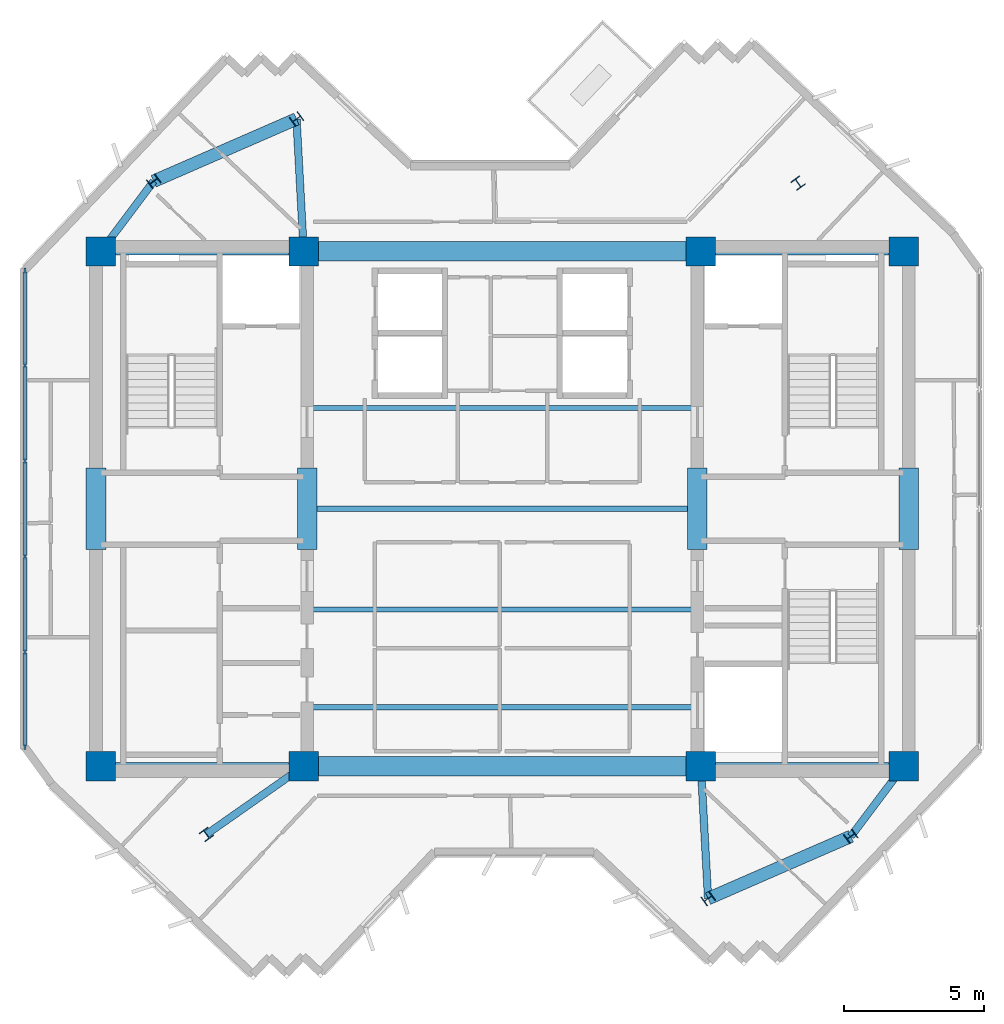
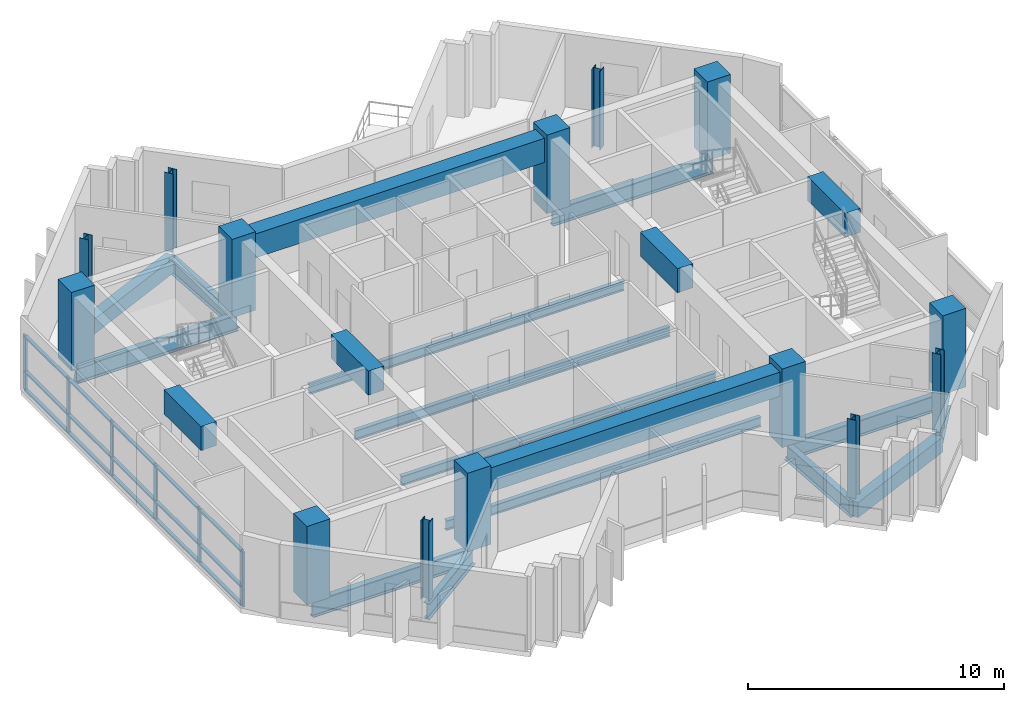
# One storey, part 1 of 9: 21 beams, 21 members, 14 columns, 1 element without a shape of its own.
"""IFC4 building model written with IfcOpenShell, lengths in metres."""

from ifc_helpers import new_model, si_unit, direction, frame, origin, origin_2d, place, context, subcontext, project, spatial, rectangle, i_section, extrude, source, transform, mapped, material, layer, layer_set, material_profile, profile_set, type_object, element, aggregate, save


model = new_model("IFC4")

# Units and contexts
model_context = context("Model", 3, precision=1e-05, world=origin(), true_north=direction((0.0, 1.0)))
body_context = subcontext(model_context, "Body", "Model", "MODEL_VIEW")
ifc_project = project(units=[si_unit("LENGTHUNIT", "METRE"), si_unit("AREAUNIT", "SQUARE_METRE"), si_unit("VOLUMEUNIT", "CUBIC_METRE"), si_unit("PLANEANGLEUNIT", "RADIAN"), si_unit("MASSUNIT", "GRAM", prefix="KILO")], contexts=[model_context])

# Site, building, storey
site_placement = place(None, origin())
site = spatial("IfcSite", under=ifc_project, at=site_placement, CompositionType="ELEMENT")
building_placement = place(site_placement, origin())
building = spatial("IfcBuilding", under=site, at=building_placement, Name="Zahravan Cultural Tower", CompositionType="ELEMENT")
storey_placement = place(building_placement, frame((0.0, 0.0, 306.60009765625)))
storey = spatial("IfcBuildingStorey", under=building, at=storey_placement, Name="L74", CompositionType="ELEMENT", Elevation=306.60009765625)

# Columns
ifc_material_1 = material(Name="Concrete C50/60", Category="concrete")
ifc_material_profile_1 = material_profile(ifc_material_1, rectangle(XDim=1.050048828125, YDim=1.050048828125, at=origin_2d()), Name="RC1050X1050")
ifc_profile_set_1 = profile_set([ifc_material_profile_1], Name="Concrete C50/60")
column_type_1 = type_object("IfcColumnType", Name="COL-RC1050", PredefinedType="COLUMN", material=ifc_profile_set_1)
shared_shape_1 = source(origin(), body_context, "Body", "SweptSolid", [
    extrude(rectangle(XDim=1.050048828125, YDim=1.050048828125, at=origin_2d()), origin(), (0.0, 0.0, 1.0), 3.75),
])
for number, where, z_axis, x_axis, name in (
    (1, (21.64990234375, 17.800048828125, 0.0), (0.0, 0.0, 1.0), (1.0, 0.0, 0.0), "L74 Column CC-W1"),
    (2, (28.89990234375, 17.800048828125, 0.0), (0.0, 0.0, 1.0), (1.0, 0.0, 0.0), "L74 Column CC-W2"),
    (3, (21.64990234375, 36.199951171875, 0.0), (0.0, 0.0, 1.0), (1.0, 0.0, 0.0), "L74 Column CC-W3"),
    (4, (28.89990234375, 36.199951171875, 0.0), (0.0, 0.0, 1.0), (1.0, 0.0, 0.0), "L74 Column CC-W4"),
    (5, (43.10009765625, 17.800048828125, 0.0), (0.0, 0.0, 1.0), (1.0, 0.0, 0.0), "L74 Column CC-E1"),
    (6, (50.35009765625, 17.800048828125, 0.0), (0.0, 0.0, 1.0), (1.0, 0.0, 0.0), "L74 Column CC-E2"),
    (7, (43.10009765625, 36.199951171875, 0.0), (0.0, 0.0, 1.0), (1.0, 0.0, 0.0), "L74 Column CC-E3"),
    (8, (50.35009765625, 36.199951171875, 0.0), (0.0, 0.0, 1.0), (1.0, 0.0, 0.0), "L74 Column CC-E4"),
):
    element("IfcColumn", number, at=place(storey_placement, frame(where, z_axis=z_axis, x_axis=x_axis)), inside=storey, type_object=column_type_1, Name=name, PredefinedType="COLUMN", context=body_context, shape_type="MappedRepresentation", body=[
        mapped(shared_shape_1, transform((0.0, 0.0, 0.0), x_axis=(1.0, 0.0, 0.0), y_axis=(0.0, 1.0, 0.0), z_axis=(0.0, 0.0, 1.0), scale=1.0)),
    ])
ifc_material_2 = material(Name="Steel ASTM A992 Grade 50", Category="steel")
ifc_material_profile_2 = material_profile(ifc_material_2, i_section(OverallWidth=0.3740234375, OverallDepth=0.3720703125, WebThickness=0.016357421875, FlangeThickness=0.026123046875, FilletRadius=0.01806640625, at=origin_2d()), Name="W14X132")
ifc_profile_set_2 = profile_set([ifc_material_profile_2], Name="Steel ASTM A992 Grade 50")
column_type_2 = type_object("IfcColumnType", Name="COL-W14X132", PredefinedType="COLUMN", material=ifc_profile_set_2)
shared_shape_2 = source(origin(), body_context, "Body", "SweptSolid", [
    extrude(i_section(OverallWidth=0.3740234375, OverallDepth=0.3720703125, WebThickness=0.016357421875, FlangeThickness=0.026123046875, FilletRadius=0.01806640625, at=origin_2d()), origin(), (0.0, 0.0, 1.0), 3.75),
])
for number, where, z_axis, x_axis, name in (
    (9, (46.577880859375, 38.640625, 0.0), (0.0, 0.0, 1.0), (0.809016994375, 0.587785252292, 0.0), "L74 Column Z3C-E2"),
    (10, (28.642578125, 40.937255859375, 0.0), (0.0, 0.0, 1.0), (-0.587785252292, 0.809016994375, 0.0), "L74 Column Z3C-N1"),
    (11, (23.536376953125, 38.710693359375, 0.0), (0.0, 0.0, 1.0), (-0.587785252292, 0.809016994375, 0.0), "L74 Column Z3C-N2"),
    (12, (25.422119140625, 15.359375, 0.0), (0.0, 0.0, 1.0), (0.809016994375, 0.587785252292, 0.0), "L74 Column Z3C-W2"),
    (13, (43.357421875, 13.062744140625, 0.0), (0.0, 0.0, 1.0), (-0.587785252292, 0.809016994375, 0.0), "L74 Column Z3C-S1"),
    (14, (48.463623046875, 15.289306640625, 0.0), (0.0, 0.0, 1.0), (-0.587785252292, 0.809016994375, 0.0), "L74 Column Z3C-S2"),
):
    element("IfcColumn", number, at=place(storey_placement, frame(where, z_axis=z_axis, x_axis=x_axis)), inside=storey, type_object=column_type_2, Name=name, PredefinedType="COLUMN", context=body_context, shape_type="MappedRepresentation", body=[
        mapped(shared_shape_2, transform((0.0, 0.0, 0.0), x_axis=(1.0, 0.0, 0.0), y_axis=(0.0, 1.0, 0.0), z_axis=(0.0, 0.0, 1.0), scale=1.0)),
    ])

# Beams
ifc_material_profile_3 = material_profile(ifc_material_1, rectangle(XDim=0.699951171875, YDim=1.14990234375, at=origin_2d()), Name="RC700X1150")
ifc_profile_set_3 = profile_set([ifc_material_profile_3], Name="Concrete C50/60")
beam_type_1 = type_object("IfcBeamType", Name="BM-LN-RC700X1150", PredefinedType="LINTEL", material=ifc_profile_set_3)
shared_shape_3 = source(origin(), body_context, "Body", "SweptSolid", [
    extrude(rectangle(XDim=0.699951171875, YDim=1.14990234375, at=origin_2d()), origin(), (0.0, 0.0, 1.0), 14.2001953125),
])
for number, where, z_axis, x_axis, name in (
    (15, (28.89990234375, 17.800048828125, 2.9248046875), (1.0, 0.0, 0.0), (0.0, 1.0, 0.0), "L74 Beam LN-L74-S"),
    (16, (28.89990234375, 36.199951171875, 2.9248046875), (1.0, 0.0, 0.0), (0.0, 1.0, 0.0), "L74 Beam LN-L74-N"),
):
    element("IfcBeam", number, at=place(storey_placement, frame(where, z_axis=z_axis, x_axis=x_axis)), inside=storey, type_object=beam_type_1, Name=name, PredefinedType="LINTEL", context=body_context, shape_type="MappedRepresentation", body=[
        mapped(shared_shape_3, transform((0.0, 0.0, 0.0), x_axis=(1.0, 0.0, 0.0), y_axis=(0.0, 1.0, 0.0), z_axis=(0.0, 0.0, 1.0), scale=1.0)),
    ])
shared_shape_4 = source(origin(), body_context, "Body", "SweptSolid", [
    extrude(rectangle(XDim=0.699951171875, YDim=1.14990234375, at=origin_2d()), origin(), (0.0, 0.0, 1.0), 2.89990234375),
])
for number, where, z_axis, x_axis, name in (
    (17, (21.47509765625, 25.550048828125, 2.9248046875), (0.0, 1.0, 0.0), (-1.0, 0.0, 0.0), "L74 Beam LN-L74-PWW"),
    (18, (29.02490234375, 25.550048828125, 2.9248046875), (0.0, 1.0, 0.0), (-1.0, 0.0, 0.0), "L74 Beam LN-L74-PWE"),
    (19, (42.97509765625, 25.550048828125, 2.9248046875), (0.0, 1.0, 0.0), (-1.0, 0.0, 0.0), "L74 Beam LN-L74-PEW"),
    (20, (50.52490234375, 25.550048828125, 2.9248046875), (0.0, 1.0, 0.0), (-1.0, 0.0, 0.0), "L74 Beam LN-L74-PEE"),
):
    element("IfcBeam", number, at=place(storey_placement, frame(where, z_axis=z_axis, x_axis=x_axis)), inside=storey, type_object=beam_type_1, Name=name, PredefinedType="LINTEL", context=body_context, shape_type="MappedRepresentation", body=[
        mapped(shared_shape_4, transform((0.0, 0.0, 0.0), x_axis=(1.0, 0.0, 0.0), y_axis=(0.0, 1.0, 0.0), z_axis=(0.0, 0.0, 1.0), scale=1.0)),
    ])
ifc_material_profile_4 = material_profile(ifc_material_2, i_section(OverallWidth=0.26611328125, OverallDepth=0.780029296875, WebThickness=0.0166015625, FlangeThickness=0.030029296875, FilletRadius=0.01904296875, at=origin_2d()), Name="W30X148")
ifc_profile_set_4 = profile_set([ifc_material_profile_4], Name="Steel ASTM A992 Grade 50")
beam_type_2 = type_object("IfcBeamType", Name="BM-G-W30X148", PredefinedType="BEAM", material=ifc_profile_set_4)
shared_shape_5 = source(origin(), body_context, "Body", "SweptSolid", [
    extrude(i_section(OverallWidth=0.26611328125, OverallDepth=0.780029296875, WebThickness=0.0166015625, FlangeThickness=0.030029296875, FilletRadius=0.01904296875, at=origin_2d()), origin(), (0.0, 0.0, 1.0), 7.25),
])
for number, where, z_axis, x_axis, name in (
    (21, (21.64990234375, 17.800048828125, -0.64013671875), (1.0, 0.0, 0.0), (0.0, 1.0, 0.0), "L74 Beam BG-L74-01"),
    (22, (21.64990234375, 36.199951171875, -0.64013671875), (1.0, 0.0, 0.0), (0.0, 1.0, 0.0), "L74 Beam BG-L74-02"),
    (23, (43.10009765625, 17.800048828125, -0.64013671875), (1.0, 0.0, 0.0), (0.0, 1.0, 0.0), "L74 Beam BG-L74-04"),
    (24, (43.10009765625, 36.199951171875, -0.64013671875), (1.0, 0.0, 0.0), (0.0, 1.0, 0.0), "L74 Beam BG-L74-05"),
):
    element("IfcBeam", number, at=place(storey_placement, frame(where, z_axis=z_axis, x_axis=x_axis)), inside=storey, type_object=beam_type_2, Name=name, PredefinedType="BEAM", context=body_context, shape_type="MappedRepresentation", body=[
        mapped(shared_shape_5, transform((0.0, 0.0, 0.0), x_axis=(1.0, 0.0, 0.0), y_axis=(0.0, 1.0, 0.0), z_axis=(0.0, 0.0, 1.0), scale=1.0)),
    ])
ifc_material_profile_5 = material_profile(ifc_material_2, i_section(OverallWidth=0.26708984375, OverallDepth=0.761962890625, WebThickness=0.014404296875, FlangeThickness=0.021484375, FilletRadius=0.01904296875, at=origin_2d()), Name="W30X116")
ifc_profile_set_5 = profile_set([ifc_material_profile_5], Name="Steel ASTM A992 Grade 50")
beam_type_3 = type_object("IfcBeamType", Name="BM-G-W30X116", PredefinedType="BEAM", material=ifc_profile_set_5)
shared_shape_6 = source(origin(), body_context, "Body", "SweptSolid", [
    extrude(i_section(OverallWidth=0.26708984375, OverallDepth=0.761962890625, WebThickness=0.014404296875, FlangeThickness=0.021484375, FilletRadius=0.01904296875, at=origin_2d()), origin(), (0.0, 0.0, 1.0), 4.248779296875),
])
beam_placement = place(storey_placement, frame((28.89990234375, 17.800048828125, -0.631103515625), z_axis=(-0.81854294596, -0.574445337365, 0.0), x_axis=(0.574445337365, -0.81854294596, 0.0)))
element("IfcBeam", 25, at=beam_placement, inside=storey, type_object=beam_type_3, Name="L74 Beam BG-L74-07", PredefinedType="BEAM", context=body_context, shape_type="MappedRepresentation", body=[
    mapped(shared_shape_6, transform((0.0, 0.0, 0.0), x_axis=(1.0, 0.0, 0.0), y_axis=(0.0, 1.0, 0.0), z_axis=(0.0, 0.0, 1.0), scale=1.0)),
])
shared_shape_7 = source(origin(), body_context, "Body", "SweptSolid", [
    extrude(i_section(OverallWidth=0.26708984375, OverallDepth=0.761962890625, WebThickness=0.014404296875, FlangeThickness=0.021484375, FilletRadius=0.01904296875, at=origin_2d()), origin(), (0.0, 0.0, 1.0), 4.744384765625),
])
for number, where, z_axis, x_axis, name in (
    (26, (43.10009765625, 17.800048828125, -0.631103515625), (0.054238739845, -0.998527996152, 0.0), (0.998527996152, 0.054238739845, 0.0), "L74 Beam BG-L74-08"),
    (27, (28.89990234375, 36.199951171875, -0.631103515625), (-0.054238739845, 0.998527996152, 0.0), (-0.998527996152, -0.054238739845, 0.0), "L74 Beam BG-L74-10"),
):
    element("IfcBeam", number, at=place(storey_placement, frame(where, z_axis=z_axis, x_axis=x_axis)), inside=storey, type_object=beam_type_3, Name=name, PredefinedType="BEAM", context=body_context, shape_type="MappedRepresentation", body=[
        mapped(shared_shape_7, transform((0.0, 0.0, 0.0), x_axis=(1.0, 0.0, 0.0), y_axis=(0.0, 1.0, 0.0), z_axis=(0.0, 0.0, 1.0), scale=1.0)),
    ])
shared_shape_8 = source(origin(), body_context, "Body", "SweptSolid", [
    extrude(i_section(OverallWidth=0.26708984375, OverallDepth=0.761962890625, WebThickness=0.014404296875, FlangeThickness=0.021484375, FilletRadius=0.01904296875, at=origin_2d()), origin(), (0.0, 0.0, 1.0), 3.140380859375),
])
for number, where, z_axis, x_axis, name in (
    (28, (50.35009765625, 17.800048828125, -0.631103515625), (-0.600696322208, -0.799477284534, 0.0), (0.799477284534, -0.600696322208, 0.0), "L74 Beam BG-L74-09"),
    (29, (21.64990234375, 36.199951171875, -0.631103515625), (0.600696322208, 0.799477284534, 0.0), (-0.799477284534, 0.600696322208, 0.0), "L74 Beam BG-L74-11"),
):
    element("IfcBeam", number, at=place(storey_placement, frame(where, z_axis=z_axis, x_axis=x_axis)), inside=storey, type_object=beam_type_3, Name=name, PredefinedType="BEAM", context=body_context, shape_type="MappedRepresentation", body=[
        mapped(shared_shape_8, transform((0.0, 0.0, 0.0), x_axis=(1.0, 0.0, 0.0), y_axis=(0.0, 1.0, 0.0), z_axis=(0.0, 0.0, 1.0), scale=1.0)),
    ])
ifc_material_3 = material(Name="Concrete C45/55", Category="concrete")
ifc_material_profile_6 = material_profile(ifc_material_3, rectangle(XDim=0.449951171875, YDim=0.719970703125, at=origin_2d()), Name="RC450X720")
ifc_profile_set_6 = profile_set([ifc_material_profile_6], Name="Concrete C45/55")
beam_type_4 = type_object("IfcBeamType", Name="BM-SP-RC450X720", PredefinedType="SPANDREL", material=ifc_profile_set_6)
shared_shape_9 = source(origin(), body_context, "Body", "SweptSolid", [
    extrude(rectangle(XDim=0.449951171875, YDim=0.719970703125, at=origin_2d()), origin(), (0.0, 0.0, 1.0), 5.570556640625),
])
for number, where, z_axis, x_axis, name in (
    (30, (43.357421875, 13.062744140625, -0.610107421875), (0.9166445026, 0.399703459896, 0.0), (-0.399703459896, 0.9166445026, 0.0), "L74 Beam SP-L74-12"),
    (31, (28.642578125, 40.937255859375, -0.610107421875), (-0.9166445026, -0.399703459896, 0.0), (0.399703459896, -0.9166445026, 0.0), "L74 Beam SP-L74-13"),
):
    element("IfcBeam", number, at=place(storey_placement, frame(where, z_axis=z_axis, x_axis=x_axis)), inside=storey, type_object=beam_type_4, Name=name, PredefinedType="SPANDREL", context=body_context, shape_type="MappedRepresentation", body=[
        mapped(shared_shape_9, transform((0.0, 0.0, 0.0), x_axis=(1.0, 0.0, 0.0), y_axis=(0.0, 1.0, 0.0), z_axis=(0.0, 0.0, 1.0), scale=1.0)),
    ])
ifc_material_profile_7 = material_profile(ifc_material_2, i_section(OverallWidth=0.18994140625, OverallDepth=0.45703125, WebThickness=0.009033203125, FlangeThickness=0.014404296875, FilletRadius=0.012939453125, at=origin_2d()), Name="W18X50")
ifc_profile_set_7 = profile_set([ifc_material_profile_7], Name="Steel ASTM A992 Grade 50")
beam_type_5 = type_object("IfcBeamType", Name="BM-J-W18X50", PredefinedType="JOIST", material=ifc_profile_set_7)
shared_shape_10 = source(origin(), body_context, "Body", "SweptSolid", [
    extrude(i_section(OverallWidth=0.18994140625, OverallDepth=0.45703125, WebThickness=0.009033203125, FlangeThickness=0.014404296875, FilletRadius=0.012939453125, at=origin_2d()), origin(), (0.0, 0.0, 1.0), 14.2001953125),
])
for number, where, z_axis, x_axis, name in (
    (32, (28.89990234375, 19.89990234375, -0.478515625), (1.0, 0.0, 0.0), (0.0, 1.0, 0.0), "L74 Beam BJ-L74-14"),
    (33, (28.89990234375, 23.39990234375, -0.478515625), (1.0, 0.0, 0.0), (0.0, 1.0, 0.0), "L74 Beam BJ-L74-15"),
    (34, (28.89990234375, 27.0, -0.478515625), (1.0, 0.0, 0.0), (0.0, 1.0, 0.0), "L74 Beam BJ-L74-16"),
    (35, (28.89990234375, 30.60009765625, -0.478515625), (1.0, 0.0, 0.0), (0.0, 1.0, 0.0), "L74 Beam BJ-L74-17"),
):
    element("IfcBeam", number, at=place(storey_placement, frame(where, z_axis=z_axis, x_axis=x_axis)), inside=storey, type_object=beam_type_5, Name=name, PredefinedType="JOIST", context=body_context, shape_type="MappedRepresentation", body=[
        mapped(shared_shape_10, transform((0.0, 0.0, 0.0), x_axis=(1.0, 0.0, 0.0), y_axis=(0.0, 1.0, 0.0), z_axis=(0.0, 0.0, 1.0), scale=1.0)),
    ])

# Curtain wall, members
ifc_material_4 = material(Name="Anodised bronze-aluminium mullion", Category="aluminium")
ifc_layer = layer(ifc_material_4, 0.199951171875)
ifc_layer_set = layer_set([ifc_layer], Name="Anodised bronze-aluminium mullion")
curtain_wall_type = type_object("IfcCurtainWallType", Name="CW-SYS-2", PredefinedType="USERDEFINED", material=ifc_layer_set)
curtain_wall_placement = place(storey_placement, origin())
curtain_wall = element("IfcCurtainWall", 36, at=curtain_wall_placement, inside=storey, type_object=curtain_wall_type, Name="L74 Recessed Curtain Wall CW-2.2", ObjectType="RECESSED GLAZING", PredefinedType="USERDEFINED")
ifc_material_profile_8 = material_profile(ifc_material_4, rectangle(XDim=0.074951171875, YDim=0.199951171875, at=origin_2d()), Name="AL-M75X200")
ifc_profile_set_8 = profile_set([ifc_material_profile_8], Name="Anodised bronze-aluminium mullion")
member_type_1 = type_object("IfcMemberType", Name="CWM-CW-2", PredefinedType="MULLION", material=ifc_profile_set_8)
shared_shape_11 = source(origin(), body_context, "Body", "SweptSolid", [
    extrude(rectangle(XDim=0.074951171875, YDim=0.199951171875, at=origin_2d()), origin(), (0.0, 0.0, 1.0), 2.619873046875),
])
member_1_placement = place(storey_placement, frame((18.93994140625, 18.49560546875, 0.0), z_axis=(0.0, 0.0, 1.0), x_axis=(-1.0, 0.0, 0.0)))
member_1 = element("IfcMember", 37, at=member_1_placement, type_object=member_type_1, Name="CW-2 mullion 1", PredefinedType="MULLION", context=body_context, shape_type="MappedRepresentation", body=[
    mapped(shared_shape_11, transform((0.0, 0.0, 0.0), x_axis=(1.0, 0.0, 0.0), y_axis=(0.0, 1.0, 0.0), z_axis=(0.0, 0.0, 1.0), scale=1.0)),
])
member_2_placement = place(storey_placement, frame((18.93994140625, 21.874755859375, 0.0), z_axis=(0.0, 0.0, 1.0), x_axis=(-1.0, 0.0, 0.0)))
member_2 = element("IfcMember", 38, at=member_2_placement, type_object=member_type_1, Name="CW-2 mullion 2", PredefinedType="MULLION", context=body_context, shape_type="MappedRepresentation", body=[
    mapped(shared_shape_11, transform((0.0, 0.0, 0.0), x_axis=(1.0, 0.0, 0.0), y_axis=(0.0, 1.0, 0.0), z_axis=(0.0, 0.0, 1.0), scale=1.0)),
])
member_3_placement = place(storey_placement, frame((18.93994140625, 25.29150390625, 0.0), z_axis=(0.0, 0.0, 1.0), x_axis=(-1.0, 0.0, 0.0)))
member_3 = element("IfcMember", 39, at=member_3_placement, type_object=member_type_1, Name="CW-2 mullion 3", PredefinedType="MULLION", context=body_context, shape_type="MappedRepresentation", body=[
    mapped(shared_shape_11, transform((0.0, 0.0, 0.0), x_axis=(1.0, 0.0, 0.0), y_axis=(0.0, 1.0, 0.0), z_axis=(0.0, 0.0, 1.0), scale=1.0)),
])
member_4_placement = place(storey_placement, frame((18.93994140625, 28.70849609375, 0.0), z_axis=(0.0, 0.0, 1.0), x_axis=(-1.0, 0.0, 0.0)))
member_4 = element("IfcMember", 40, at=member_4_placement, type_object=member_type_1, Name="CW-2 mullion 4", PredefinedType="MULLION", context=body_context, shape_type="MappedRepresentation", body=[
    mapped(shared_shape_11, transform((0.0, 0.0, 0.0), x_axis=(1.0, 0.0, 0.0), y_axis=(0.0, 1.0, 0.0), z_axis=(0.0, 0.0, 1.0), scale=1.0)),
])
member_5_placement = place(storey_placement, frame((18.93994140625, 32.125244140625, 0.0), z_axis=(0.0, 0.0, 1.0), x_axis=(-1.0, 0.0, 0.0)))
member_5 = element("IfcMember", 41, at=member_5_placement, type_object=member_type_1, Name="CW-2 mullion 5", PredefinedType="MULLION", context=body_context, shape_type="MappedRepresentation", body=[
    mapped(shared_shape_11, transform((0.0, 0.0, 0.0), x_axis=(1.0, 0.0, 0.0), y_axis=(0.0, 1.0, 0.0), z_axis=(0.0, 0.0, 1.0), scale=1.0)),
])
member_6_placement = place(storey_placement, frame((18.93994140625, 35.50439453125, 0.0), z_axis=(0.0, 0.0, 1.0), x_axis=(-1.0, 0.0, 0.0)))
member_6 = element("IfcMember", 42, at=member_6_placement, type_object=member_type_1, Name="CW-2 mullion 6", PredefinedType="MULLION", context=body_context, shape_type="MappedRepresentation", body=[
    mapped(shared_shape_11, transform((0.0, 0.0, 0.0), x_axis=(1.0, 0.0, 0.0), y_axis=(0.0, 1.0, 0.0), z_axis=(0.0, 0.0, 1.0), scale=1.0)),
])
ifc_material_profile_9 = material_profile(ifc_material_4, rectangle(XDim=0.14990234375, YDim=0.074951171875, at=origin_2d()), Name="AL-T75X150")
ifc_profile_set_9 = profile_set([ifc_material_profile_9], Name="Anodised bronze-aluminium mullion")
member_type_2 = type_object("IfcMemberType", Name="CWT-CW-2", PredefinedType="USERDEFINED", material=ifc_profile_set_9)
shared_shape_12 = source(origin(), body_context, "Body", "SweptSolid", [
    extrude(rectangle(XDim=0.14990234375, YDim=0.074951171875, at=origin_2d()), origin(), (0.0, 0.0, 1.0), 3.304443359375),
])
member_7_placement = place(storey_placement, frame((18.93994140625, 18.532958984375, 0.037353515625), z_axis=(0.0, 1.0, 0.0), x_axis=(-1.0, 0.0, 0.0)))
member_7 = element("IfcMember", 43, at=member_7_placement, type_object=member_type_2, Name="CW-2 transom 1.1", ObjectType="TRANSOM", PredefinedType="USERDEFINED", context=body_context, shape_type="MappedRepresentation", body=[
    mapped(shared_shape_12, transform((0.0, 0.0, 0.0), x_axis=(1.0, 0.0, 0.0), y_axis=(0.0, 1.0, 0.0), z_axis=(0.0, 0.0, 1.0), scale=1.0)),
])
member_8_placement = place(storey_placement, frame((18.93994140625, 18.532958984375, 0.89990234375), z_axis=(0.0, 1.0, 0.0), x_axis=(-1.0, 0.0, 0.0)))
member_8 = element("IfcMember", 44, at=member_8_placement, type_object=member_type_2, Name="CW-2 transom 1.2", ObjectType="TRANSOM", PredefinedType="USERDEFINED", context=body_context, shape_type="MappedRepresentation", body=[
    mapped(shared_shape_12, transform((0.0, 0.0, 0.0), x_axis=(1.0, 0.0, 0.0), y_axis=(0.0, 1.0, 0.0), z_axis=(0.0, 0.0, 1.0), scale=1.0)),
])
member_9_placement = place(storey_placement, frame((18.93994140625, 18.532958984375, 2.58251953125), z_axis=(0.0, 1.0, 0.0), x_axis=(-1.0, 0.0, 0.0)))
member_9 = element("IfcMember", 45, at=member_9_placement, type_object=member_type_2, Name="CW-2 transom 1.3", ObjectType="TRANSOM", PredefinedType="USERDEFINED", context=body_context, shape_type="MappedRepresentation", body=[
    mapped(shared_shape_12, transform((0.0, 0.0, 0.0), x_axis=(1.0, 0.0, 0.0), y_axis=(0.0, 1.0, 0.0), z_axis=(0.0, 0.0, 1.0), scale=1.0)),
])
member_10_placement = place(storey_placement, frame((18.93994140625, 32.16259765625, 0.037353515625), z_axis=(0.0, 1.0, 0.0), x_axis=(-1.0, 0.0, 0.0)))
member_10 = element("IfcMember", 46, at=member_10_placement, type_object=member_type_2, Name="CW-2 transom 5.1", ObjectType="TRANSOM", PredefinedType="USERDEFINED", context=body_context, shape_type="MappedRepresentation", body=[
    mapped(shared_shape_12, transform((0.0, 0.0, 0.0), x_axis=(1.0, 0.0, 0.0), y_axis=(0.0, 1.0, 0.0), z_axis=(0.0, 0.0, 1.0), scale=1.0)),
])
member_11_placement = place(storey_placement, frame((18.93994140625, 32.16259765625, 0.89990234375), z_axis=(0.0, 1.0, 0.0), x_axis=(-1.0, 0.0, 0.0)))
member_11 = element("IfcMember", 47, at=member_11_placement, type_object=member_type_2, Name="CW-2 transom 5.2", ObjectType="TRANSOM", PredefinedType="USERDEFINED", context=body_context, shape_type="MappedRepresentation", body=[
    mapped(shared_shape_12, transform((0.0, 0.0, 0.0), x_axis=(1.0, 0.0, 0.0), y_axis=(0.0, 1.0, 0.0), z_axis=(0.0, 0.0, 1.0), scale=1.0)),
])
member_12_placement = place(storey_placement, frame((18.93994140625, 32.16259765625, 2.58251953125), z_axis=(0.0, 1.0, 0.0), x_axis=(-1.0, 0.0, 0.0)))
member_12 = element("IfcMember", 48, at=member_12_placement, type_object=member_type_2, Name="CW-2 transom 5.3", ObjectType="TRANSOM", PredefinedType="USERDEFINED", context=body_context, shape_type="MappedRepresentation", body=[
    mapped(shared_shape_12, transform((0.0, 0.0, 0.0), x_axis=(1.0, 0.0, 0.0), y_axis=(0.0, 1.0, 0.0), z_axis=(0.0, 0.0, 1.0), scale=1.0)),
])
shared_shape_13 = source(origin(), body_context, "Body", "SweptSolid", [
    extrude(rectangle(XDim=0.14990234375, YDim=0.074951171875, at=origin_2d()), origin(), (0.0, 0.0, 1.0), 3.341796875),
])
member_13_placement = place(storey_placement, frame((18.93994140625, 21.912353515625, 0.037353515625), z_axis=(0.0, 1.0, 0.0), x_axis=(-1.0, 0.0, 0.0)))
member_13 = element("IfcMember", 49, at=member_13_placement, type_object=member_type_2, Name="CW-2 transom 2.1", ObjectType="TRANSOM", PredefinedType="USERDEFINED", context=body_context, shape_type="MappedRepresentation", body=[
    mapped(shared_shape_13, transform((0.0, 0.0, 0.0), x_axis=(1.0, 0.0, 0.0), y_axis=(0.0, 1.0, 0.0), z_axis=(0.0, 0.0, 1.0), scale=1.0)),
])
member_14_placement = place(storey_placement, frame((18.93994140625, 21.912353515625, 0.89990234375), z_axis=(0.0, 1.0, 0.0), x_axis=(-1.0, 0.0, 0.0)))
member_14 = element("IfcMember", 50, at=member_14_placement, type_object=member_type_2, Name="CW-2 transom 2.2", ObjectType="TRANSOM", PredefinedType="USERDEFINED", context=body_context, shape_type="MappedRepresentation", body=[
    mapped(shared_shape_13, transform((0.0, 0.0, 0.0), x_axis=(1.0, 0.0, 0.0), y_axis=(0.0, 1.0, 0.0), z_axis=(0.0, 0.0, 1.0), scale=1.0)),
])
member_15_placement = place(storey_placement, frame((18.93994140625, 21.912353515625, 2.58251953125), z_axis=(0.0, 1.0, 0.0), x_axis=(-1.0, 0.0, 0.0)))
member_15 = element("IfcMember", 51, at=member_15_placement, type_object=member_type_2, Name="CW-2 transom 2.3", ObjectType="TRANSOM", PredefinedType="USERDEFINED", context=body_context, shape_type="MappedRepresentation", body=[
    mapped(shared_shape_13, transform((0.0, 0.0, 0.0), x_axis=(1.0, 0.0, 0.0), y_axis=(0.0, 1.0, 0.0), z_axis=(0.0, 0.0, 1.0), scale=1.0)),
])
member_16_placement = place(storey_placement, frame((18.93994140625, 25.3291015625, 0.037353515625), z_axis=(0.0, 1.0, 0.0), x_axis=(-1.0, 0.0, 0.0)))
member_16 = element("IfcMember", 52, at=member_16_placement, type_object=member_type_2, Name="CW-2 transom 3.1", ObjectType="TRANSOM", PredefinedType="USERDEFINED", context=body_context, shape_type="MappedRepresentation", body=[
    mapped(shared_shape_13, transform((0.0, 0.0, 0.0), x_axis=(1.0, 0.0, 0.0), y_axis=(0.0, 1.0, 0.0), z_axis=(0.0, 0.0, 1.0), scale=1.0)),
])
member_17_placement = place(storey_placement, frame((18.93994140625, 25.3291015625, 0.89990234375), z_axis=(0.0, 1.0, 0.0), x_axis=(-1.0, 0.0, 0.0)))
member_17 = element("IfcMember", 53, at=member_17_placement, type_object=member_type_2, Name="CW-2 transom 3.2", ObjectType="TRANSOM", PredefinedType="USERDEFINED", context=body_context, shape_type="MappedRepresentation", body=[
    mapped(shared_shape_13, transform((0.0, 0.0, 0.0), x_axis=(1.0, 0.0, 0.0), y_axis=(0.0, 1.0, 0.0), z_axis=(0.0, 0.0, 1.0), scale=1.0)),
])
member_18_placement = place(storey_placement, frame((18.93994140625, 25.3291015625, 2.58251953125), z_axis=(0.0, 1.0, 0.0), x_axis=(-1.0, 0.0, 0.0)))
member_18 = element("IfcMember", 54, at=member_18_placement, type_object=member_type_2, Name="CW-2 transom 3.3", ObjectType="TRANSOM", PredefinedType="USERDEFINED", context=body_context, shape_type="MappedRepresentation", body=[
    mapped(shared_shape_13, transform((0.0, 0.0, 0.0), x_axis=(1.0, 0.0, 0.0), y_axis=(0.0, 1.0, 0.0), z_axis=(0.0, 0.0, 1.0), scale=1.0)),
])
member_19_placement = place(storey_placement, frame((18.93994140625, 28.745849609375, 0.037353515625), z_axis=(0.0, 1.0, 0.0), x_axis=(-1.0, 0.0, 0.0)))
member_19 = element("IfcMember", 55, at=member_19_placement, type_object=member_type_2, Name="CW-2 transom 4.1", ObjectType="TRANSOM", PredefinedType="USERDEFINED", context=body_context, shape_type="MappedRepresentation", body=[
    mapped(shared_shape_13, transform((0.0, 0.0, 0.0), x_axis=(1.0, 0.0, 0.0), y_axis=(0.0, 1.0, 0.0), z_axis=(0.0, 0.0, 1.0), scale=1.0)),
])
member_20_placement = place(storey_placement, frame((18.93994140625, 28.745849609375, 0.89990234375), z_axis=(0.0, 1.0, 0.0), x_axis=(-1.0, 0.0, 0.0)))
member_20 = element("IfcMember", 56, at=member_20_placement, type_object=member_type_2, Name="CW-2 transom 4.2", ObjectType="TRANSOM", PredefinedType="USERDEFINED", context=body_context, shape_type="MappedRepresentation", body=[
    mapped(shared_shape_13, transform((0.0, 0.0, 0.0), x_axis=(1.0, 0.0, 0.0), y_axis=(0.0, 1.0, 0.0), z_axis=(0.0, 0.0, 1.0), scale=1.0)),
])
member_21_placement = place(storey_placement, frame((18.93994140625, 28.745849609375, 2.58251953125), z_axis=(0.0, 1.0, 0.0), x_axis=(-1.0, 0.0, 0.0)))
member_21 = element("IfcMember", 57, at=member_21_placement, type_object=member_type_2, Name="CW-2 transom 4.3", ObjectType="TRANSOM", PredefinedType="USERDEFINED", context=body_context, shape_type="MappedRepresentation", body=[
    mapped(shared_shape_13, transform((0.0, 0.0, 0.0), x_axis=(1.0, 0.0, 0.0), y_axis=(0.0, 1.0, 0.0), z_axis=(0.0, 0.0, 1.0), scale=1.0)),
])
aggregate(curtain_wall, [member_1, member_2, member_3, member_4, member_5, member_6, member_7, member_8, member_9, member_13, member_14, member_15, member_16, member_17, member_18, member_19, member_20, member_21, member_10, member_11, member_12])

save(model, "model.ifc")
